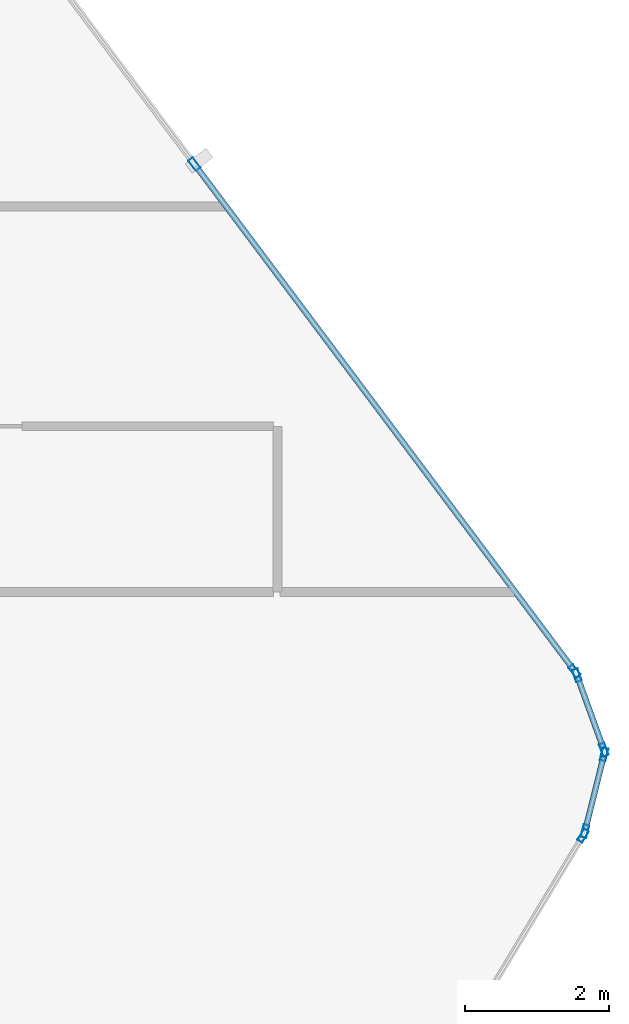
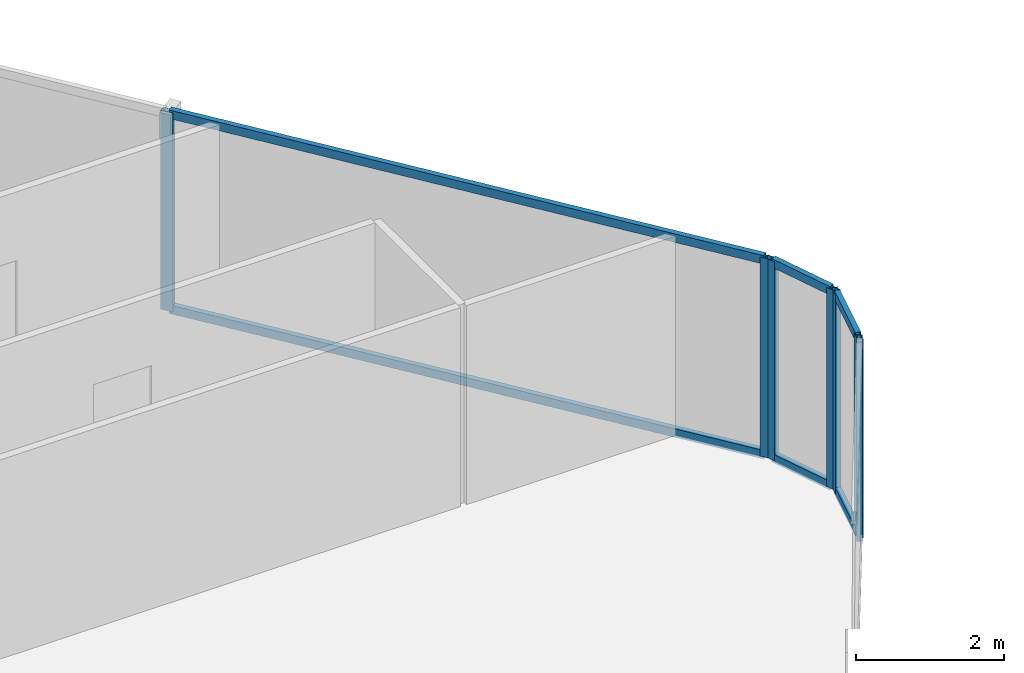
# One storey, part 19 of 31: 13 members, 4 elements without a shape of their own.
"""IFC4 building model written with IfcOpenShell, lengths in metres."""

from ifc_helpers import new_model, si_unit, direction, frame, origin, origin_2d, place, context, subcontext, project, spatial, hollow_rectangle, extrude, material, layer, layer_set, material_profile, profile_set, type_object, element, aggregate, save


model = new_model("IFC4")

# Units and contexts
model_context = context("Model", 3, precision=1e-05, world=origin(), true_north=direction((0.0, 1.0)))
body_context = subcontext(model_context, "Body", "Model", "MODEL_VIEW")
ifc_project = project(units=[si_unit("LENGTHUNIT", "METRE"), si_unit("AREAUNIT", "SQUARE_METRE"), si_unit("VOLUMEUNIT", "CUBIC_METRE"), si_unit("PLANEANGLEUNIT", "RADIAN"), si_unit("MASSUNIT", "GRAM", prefix="KILO")], contexts=[model_context])

# Site, building, storey
site_placement = place(None, origin())
site = spatial("IfcSite", under=ifc_project, at=site_placement, CompositionType="ELEMENT")
building_placement = place(site_placement, origin())
building = spatial("IfcBuilding", under=site, at=building_placement, Name="Keshet Zoharim Tower", CompositionType="ELEMENT")
storey_placement = place(building_placement, frame((0.0, 0.0, 155.699951171875)))
storey = spatial("IfcBuildingStorey", under=building, at=storey_placement, Name="L38", CompositionType="ELEMENT", Elevation=155.699951171875)

# Curtain wall, members
ifc_material = material(Name="Aluminium 6063-T6", Category="aluminium")
ifc_layer = layer(ifc_material, 0.159912109375)
ifc_layer_set = layer_set([ifc_layer], Name="Aluminium 6063-T6")
curtain_wall_type = type_object("IfcCurtainWallType", Name="CW-SYS-03", PredefinedType="NOTDEFINED", material=ifc_layer_set)
curtain_wall_1_placement = place(storey_placement, origin())
curtain_wall_1 = element("IfcCurtainWall", 1, at=curtain_wall_1_placement, inside=storey, type_object=curtain_wall_type, Name="L38 Unitised Curtain Wall 15", PredefinedType="NOTDEFINED")
ifc_material_profile_1 = material_profile(ifc_material, hollow_rectangle(XDim=0.080078125, YDim=0.179931640625, WallThickness=0.00439453125, at=origin_2d()), Name="MUL-80x180")
ifc_profile_set_1 = profile_set([ifc_material_profile_1], Name="Aluminium 6063-T6")
member_type_1 = type_object("IfcMemberType", Name="CWM-M18", PredefinedType="MULLION", material=ifc_profile_set_1)
member_1_placement = place(storey_placement, frame((56.896484375, 46.0380859375, 0.0), z_axis=(0.0, 0.0, 1.0), x_axis=(0.799999999998, 0.600000000002, 0.0)))
member_1 = element("IfcMember", 2, at=member_1_placement, type_object=member_type_1, Name="CW-03 mullion 2", PredefinedType="MULLION", context=body_context, shape_type="SweptSolid", body=[
    extrude(hollow_rectangle(XDim=0.080078125, YDim=0.179931640625, WallThickness=0.00439453125, at=origin_2d()), origin(), (0.0, 0.0, 1.0), 3.280029296875),
])
member_2_placement = place(storey_placement, frame((62.172119140625, 39.00390625, 0.0), z_axis=(0.0, 0.0, 1.0), x_axis=(0.799999999998, 0.600000000002, 0.0)))
member_2 = element("IfcMember", 3, at=member_2_placement, type_object=member_type_1, Name="CW-03 mullion 3", PredefinedType="MULLION", context=body_context, shape_type="SweptSolid", body=[
    extrude(hollow_rectangle(XDim=0.080078125, YDim=0.179931640625, WallThickness=0.00439453125, at=origin_2d()), origin(), (0.0, 0.0, 1.0), 3.280029296875),
])

curtain_wall_2_placement = place(storey_placement, origin())
curtain_wall_2 = element("IfcCurtainWall", 4, at=curtain_wall_2_placement, inside=storey, type_object=curtain_wall_type, Name="L38 Unitised Curtain Wall 16", PredefinedType="NOTDEFINED")
member_3_placement = place(storey_placement, frame((62.204833984375, 38.943115234375, 0.0), z_axis=(0.0, 0.0, 1.0), x_axis=(0.940317877544, 0.340297354046, 0.0)))
member_3 = element("IfcMember", 5, at=member_3_placement, type_object=member_type_1, Name="CW-03 mullion 1", PredefinedType="MULLION", context=body_context, shape_type="SweptSolid", body=[
    extrude(hollow_rectangle(XDim=0.080078125, YDim=0.179931640625, WallThickness=0.00439453125, at=origin_2d()), origin(), (0.0, 0.0, 1.0), 3.280029296875),
])
member_4_placement = place(storey_placement, frame((62.578125, 37.911865234375, 0.0), z_axis=(0.0, 0.0, 1.0), x_axis=(0.940317877544, 0.340297354046, 0.0)))
member_4 = element("IfcMember", 6, at=member_4_placement, type_object=member_type_1, Name="CW-03 mullion 2", PredefinedType="MULLION", context=body_context, shape_type="SweptSolid", body=[
    extrude(hollow_rectangle(XDim=0.080078125, YDim=0.179931640625, WallThickness=0.00439453125, at=origin_2d()), origin(), (0.0, 0.0, 1.0), 3.280029296875),
])

curtain_wall_3_placement = place(storey_placement, origin())
curtain_wall_3 = element("IfcCurtainWall", 7, at=curtain_wall_3_placement, inside=storey, type_object=curtain_wall_type, Name="L38 Unitised Curtain Wall 17", PredefinedType="NOTDEFINED")
member_5_placement = place(storey_placement, frame((62.58154296875, 37.844970703125, 0.0), z_axis=(0.0, 0.0, 1.0), x_axis=(0.970343857447, -0.241728770141, 0.0)))
member_5 = element("IfcMember", 8, at=member_5_placement, type_object=member_type_1, Name="CW-03 mullion 1", PredefinedType="MULLION", context=body_context, shape_type="SweptSolid", body=[
    extrude(hollow_rectangle(XDim=0.080078125, YDim=0.179931640625, WallThickness=0.00439453125, at=origin_2d()), origin(), (0.0, 0.0, 1.0), 3.280029296875),
])
member_6_placement = place(storey_placement, frame((62.31640625, 36.781005859375, 0.0), z_axis=(0.0, 0.0, 1.0), x_axis=(0.970343857447, -0.241728770141, 0.0)))
member_6 = element("IfcMember", 9, at=member_6_placement, type_object=member_type_1, Name="CW-03 mullion 2", PredefinedType="MULLION", context=body_context, shape_type="SweptSolid", body=[
    extrude(hollow_rectangle(XDim=0.080078125, YDim=0.179931640625, WallThickness=0.00439453125, at=origin_2d()), origin(), (0.0, 0.0, 1.0), 3.280029296875),
])

# Curtain wall, member
curtain_wall_4_placement = place(storey_placement, origin())
curtain_wall_4 = element("IfcCurtainWall", 10, at=curtain_wall_4_placement, inside=storey, type_object=curtain_wall_type, Name="L38 Unitised Curtain Wall 18", PredefinedType="NOTDEFINED")
member_7_placement = place(storey_placement, frame((62.2900390625, 36.717041015625, 0.0), z_axis=(0.0, 0.0, 1.0), x_axis=(0.857501477862, -0.514481501576, 0.0)))
member_7 = element("IfcMember", 11, at=member_7_placement, type_object=member_type_1, Name="CW-03 mullion 1", PredefinedType="MULLION", context=body_context, shape_type="SweptSolid", body=[
    extrude(hollow_rectangle(XDim=0.080078125, YDim=0.179931640625, WallThickness=0.00439453125, at=origin_2d()), origin(), (0.0, 0.0, 1.0), 3.280029296875),
])
aggregate(curtain_wall_4, [member_7])

# Member
ifc_material_profile_2 = material_profile(ifc_material, hollow_rectangle(XDim=0.080078125, YDim=0.139892578125, WallThickness=0.00390625, at=origin_2d()), Name="TRN-80x140")
ifc_profile_set_2 = profile_set([ifc_material_profile_2], Name="Aluminium 6063-T6")
member_type_2 = type_object("IfcMemberType", Name="CWT-T14", PredefinedType="USERDEFINED", material=ifc_profile_set_2)
member_8_placement = place(storey_placement, frame((56.91748046875, 46.010009765625, 0.03515625), z_axis=(0.599991043201, -0.800006717521, 0.0), x_axis=(0.800006717521, 0.599991043201, 0.0)))
member_8 = element("IfcMember", 12, at=member_8_placement, type_object=member_type_2, Name="CW-03 transom 2.1", ObjectType="TRANSOM", PredefinedType="USERDEFINED", context=body_context, shape_type="SweptSolid", body=[
    extrude(hollow_rectangle(XDim=0.080078125, YDim=0.139892578125, WallThickness=0.00390625, at=origin_2d()), origin(), (0.0, 0.0, 1.0), 8.722412109375),
])

member_9_placement = place(storey_placement, frame((56.91748046875, 46.010009765625, 3.2451171875), z_axis=(0.599991043201, -0.800006717521, 0.0), x_axis=(0.800006717521, 0.599991043201, 0.0)))
member_9 = element("IfcMember", 13, at=member_9_placement, type_object=member_type_2, Name="CW-03 transom 2.2", ObjectType="TRANSOM", PredefinedType="USERDEFINED", context=body_context, shape_type="SweptSolid", body=[
    extrude(hollow_rectangle(XDim=0.080078125, YDim=0.139892578125, WallThickness=0.00390625, at=origin_2d()), origin(), (0.0, 0.0, 1.0), 8.722412109375),
])

aggregate(curtain_wall_1, [member_1, member_2, member_8, member_9])

member_10_placement = place(storey_placement, frame((62.216796875, 38.91015625, 0.03515625), z_axis=(0.340310579984, -0.940313091024, 0.0), x_axis=(0.940313091024, 0.340310579984, 0.0)))
member_10 = element("IfcMember", 14, at=member_10_placement, type_object=member_type_2, Name="CW-03 transom 1.1", ObjectType="TRANSOM", PredefinedType="USERDEFINED", context=body_context, shape_type="SweptSolid", body=[
    extrude(hollow_rectangle(XDim=0.080078125, YDim=0.139892578125, WallThickness=0.00390625, at=origin_2d()), origin(), (0.0, 0.0, 1.0), 1.026611328125),
])

member_11_placement = place(storey_placement, frame((62.216796875, 38.91015625, 3.2451171875), z_axis=(0.340310579984, -0.940313091024, 0.0), x_axis=(0.940313091024, 0.340310579984, 0.0)))
member_11 = element("IfcMember", 15, at=member_11_placement, type_object=member_type_2, Name="CW-03 transom 1.2", ObjectType="TRANSOM", PredefinedType="USERDEFINED", context=body_context, shape_type="SweptSolid", body=[
    extrude(hollow_rectangle(XDim=0.080078125, YDim=0.139892578125, WallThickness=0.00390625, at=origin_2d()), origin(), (0.0, 0.0, 1.0), 1.026611328125),
])

aggregate(curtain_wall_2, [member_3, member_4, member_10, member_11])

member_12_placement = place(storey_placement, frame((62.572998046875, 37.81103515625, 0.03515625), z_axis=(-0.241640143717, -0.970365931463, 0.0), x_axis=(0.970365931463, -0.241640143717, 0.0)))
member_12 = element("IfcMember", 16, at=member_12_placement, type_object=member_type_2, Name="CW-03 transom 1.1", ObjectType="TRANSOM", PredefinedType="USERDEFINED", context=body_context, shape_type="SweptSolid", body=[
    extrude(hollow_rectangle(XDim=0.080078125, YDim=0.139892578125, WallThickness=0.00390625, at=origin_2d()), origin(), (0.0, 0.0, 1.0), 1.026611328125),
])

member_13_placement = place(storey_placement, frame((62.572998046875, 37.81103515625, 3.2451171875), z_axis=(-0.241640143717, -0.970365931463, 0.0), x_axis=(0.970365931463, -0.241640143717, 0.0)))
member_13 = element("IfcMember", 17, at=member_13_placement, type_object=member_type_2, Name="CW-03 transom 1.2", ObjectType="TRANSOM", PredefinedType="USERDEFINED", context=body_context, shape_type="SweptSolid", body=[
    extrude(hollow_rectangle(XDim=0.080078125, YDim=0.139892578125, WallThickness=0.00390625, at=origin_2d()), origin(), (0.0, 0.0, 1.0), 1.026611328125),
])

aggregate(curtain_wall_3, [member_5, member_6, member_12, member_13])

save(model, "model.ifc")
